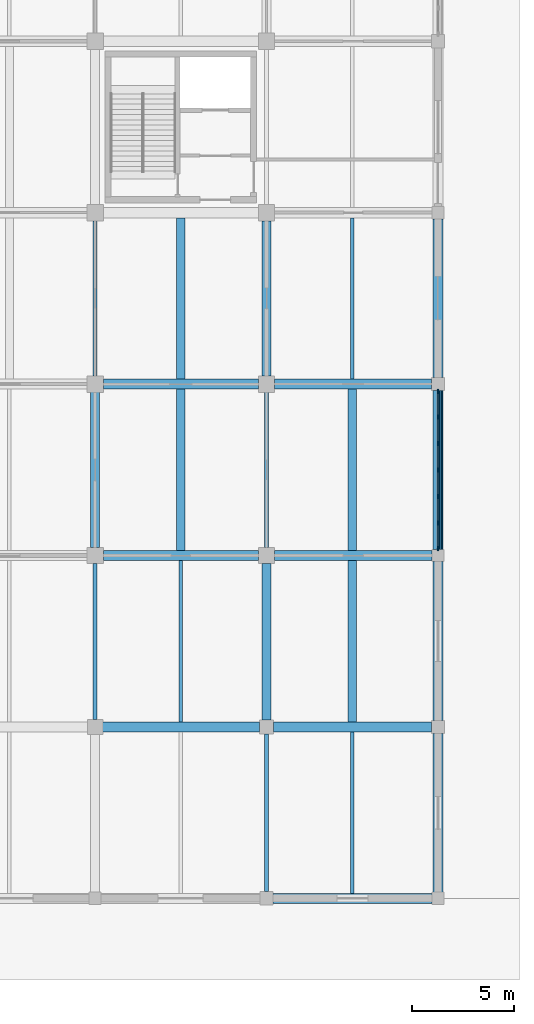
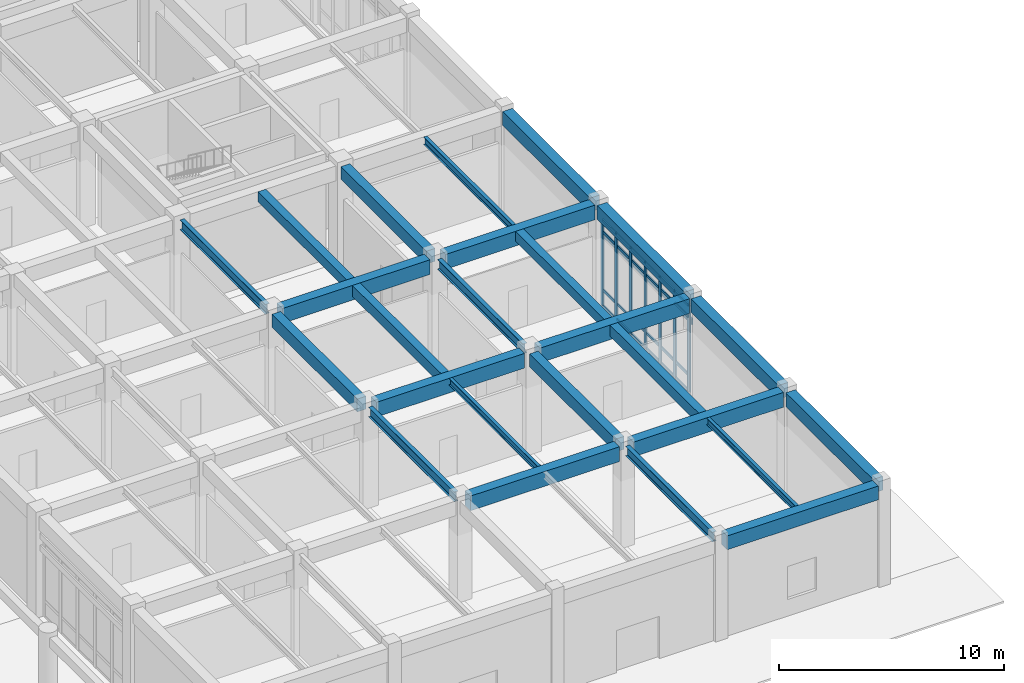
# One storey, part 34 of 91: 33 members, 25 beams, 1 element without a shape of its own.
"""IFC4 building model written with IfcOpenShell, lengths in metres."""

import ifcopenshell
import ifcopenshell.guid

model = None  # the IFC model being written
_history = None  # IfcOwnerHistory: only IFC2X3 demands one
_inside = {}  # id of a spatial element -> (the spatial element, [elements in it])
_under = {}  # id of a project, library or spatial element -> (it, [spatial elements below it])
_declared = {}  # id of a project -> (the project, [libraries it declares])
_typed = {}  # id of a type object -> (the type object, [elements of that type])
_made_of = {}  # id of a material, layer set ... -> (it, [elements and type objects made of it])


def new_model(schema):
    """Start an empty IFC model of exactly this schema.

    Asked for "IFC4X3", IfcOpenShell would pick the latest addendum, in which some entities
    have other attributes; the version numbers below select the first issue.
    IFC2X3 requires an IfcOwnerHistory on every rooted entity: one is made here for all.
    """
    global model, _history
    if schema == "IFC4X3":
        model = ifcopenshell.file(schema_version=(4, 3, 0, 0))
    else:
        model = ifcopenshell.file(schema=schema)
    _inside.clear()
    _under.clear()
    _declared.clear()
    _typed.clear()
    _made_of.clear()
    _history = None
    if model.schema == "IFC2X3":
        org = make("IfcOrganization", Name="unknown")
        user = make(
            "IfcPersonAndOrganization",
            ThePerson=make("IfcPerson", FamilyName="unknown"),
            TheOrganization=org,
        )
        app = make(
            "IfcApplication",
            ApplicationDeveloper=org,
            Version="unknown",
            ApplicationFullName="unknown",
            ApplicationIdentifier="unknown",
        )
        _history = make(
            "IfcOwnerHistory",
            OwningUser=user,
            OwningApplication=app,
            ChangeAction="ADDED",
            CreationDate=0,
        )
    return model


def make(cls, **values):
    """One entity of the class cls with the attributes given. An attribute that is None is left unset."""
    return model.create_entity(
        cls, **{name: value for name, value in values.items() if value is not None}
    )


def rooted(cls, **values):
    """An entity with a GlobalId (a new one), such as an element, a storey or a relation."""
    return make(cls, GlobalId=ifcopenshell.guid.new(), OwnerHistory=_history, **values)


def si_unit(unit_type, name, prefix=None):
    """IfcSIUnit, for example si_unit("LENGTHUNIT", "METRE", prefix="MILLI")."""
    return make("IfcSIUnit", UnitType=unit_type, Prefix=prefix, Name=name)


def assignment(units):
    """IfcUnitAssignment: the units of a project."""
    return None if units is None else make("IfcUnitAssignment", Units=units)


def point(xyz):
    """IfcCartesianPoint."""
    return None if xyz is None else make("IfcCartesianPoint", Coordinates=xyz)


def direction(xyz):
    """IfcDirection."""
    return None if xyz is None else make("IfcDirection", DirectionRatios=xyz)


def frame(location, z_axis=None, x_axis=None):
    """IfcAxis2Placement3D, a coordinate frame: its origin and axes. An axis left out is left unset."""
    return make(
        "IfcAxis2Placement3D",
        Location=point(location),
        Axis=direction(z_axis),
        RefDirection=direction(x_axis),
    )


def frame_2d(location, x_axis=None):
    """IfcAxis2Placement2D, a coordinate frame in the plane: its origin and x axis."""
    return make(
        "IfcAxis2Placement2D", Location=point(location), RefDirection=direction(x_axis)
    )


def origin():
    """The frame at (0, 0, 0) with its axes left unset."""
    return frame((0.0, 0.0, 0.0))


def origin_2d():
    """The frame at (0, 0) in the plane with its x axis left unset."""
    return frame_2d((0.0, 0.0))


def place(relative_to, where):
    """IfcLocalPlacement: puts the frame where relative to a parent placement (None: the world)."""
    return make(
        "IfcLocalPlacement", PlacementRelTo=relative_to, RelativePlacement=where
    )


def context(
    kind, dimensions, precision=None, world=None, true_north=None, identifier=None
):
    """IfcGeometricRepresentationContext, for example the 3D "Model" context."""
    return make(
        "IfcGeometricRepresentationContext",
        ContextIdentifier=identifier,
        ContextType=kind,
        CoordinateSpaceDimension=dimensions,
        Precision=precision,
        WorldCoordinateSystem=world,
        TrueNorth=true_north,
    )


def subcontext(parent, identifier, kind, view, scale=None):
    """IfcGeometricRepresentationSubContext, for example "Body" below "Model"."""
    return make(
        "IfcGeometricRepresentationSubContext",
        ContextIdentifier=identifier,
        ContextType=kind,
        ParentContext=parent,
        TargetScale=scale,
        TargetView=view,
    )


def project(units=None, contexts=None):
    """IfcProject with its units and contexts."""
    return rooted(
        "IfcProject",
        Name="project",
        RepresentationContexts=contexts,
        UnitsInContext=assignment(units),
    )


def spatial(cls, under=None, at=None, **own):
    """A site, building, storey or space (cls), placed at a placement, below another one or the project."""
    s = rooted(cls, ObjectPlacement=at, **own)
    if under is not None:
        _under.setdefault(under.id(), (under, []))[1].append(s)
    return s


def profile(cls, at=None, kind="AREA", **sizes):
    """A parametric profile (cls). Its sizes go by their IFC names, for example OverallWidth=200.0."""
    return make(cls, ProfileType=kind, Position=at, **sizes)


def rectangle(**sizes):
    """IfcRectangleProfileDef."""
    return profile("IfcRectangleProfileDef", **sizes)


def i_section(**sizes):
    """IfcIShapeProfileDef."""
    return profile("IfcIShapeProfileDef", **sizes)


def extrude(swept, where, along, depth):
    """IfcExtrudedAreaSolid: the profile swept, set in the frame where, extruded along a direction by depth."""
    return make(
        "IfcExtrudedAreaSolid",
        SweptArea=swept,
        Position=where,
        ExtrudedDirection=direction(along),
        Depth=depth,
    )


def shape(context_of_items, identifier, shape_type, items):
    """IfcShapeRepresentation: the items that make up one representation, for example the "Body"."""
    return make(
        "IfcShapeRepresentation",
        ContextOfItems=context_of_items,
        RepresentationIdentifier=identifier,
        RepresentationType=shape_type,
        Items=items,
    )


def material(Name=None, Category=None):
    """IfcMaterial."""
    return make("IfcMaterial", Name=Name, Category=Category)


def layer(
    of_material, thickness, ventilated=None, Name=None, Category=None, Priority=None
):
    """IfcMaterialLayer: one layer of a wall or slab, of a material (None: an air gap)."""
    return make(
        "IfcMaterialLayer",
        Material=of_material,
        LayerThickness=thickness,
        IsVentilated=ventilated,
        Name=Name,
        Category=Category,
        Priority=Priority,
    )


def layer_set(layers, Name=None):
    """IfcMaterialLayerSet."""
    return make("IfcMaterialLayerSet", MaterialLayers=layers, LayerSetName=Name)


def material_profile(
    of_material, cross_section, Name=None, Category=None, Priority=None
):
    """IfcMaterialProfile: a cross section and its material."""
    return make(
        "IfcMaterialProfile",
        Name=Name,
        Material=of_material,
        Profile=cross_section,
        Priority=Priority,
        Category=Category,
    )


def profile_set(profiles, Name=None, composite=None):
    """IfcMaterialProfileSet."""
    return make(
        "IfcMaterialProfileSet",
        Name=Name,
        MaterialProfiles=profiles,
        CompositeProfile=composite,
    )


def made_of(thing, what):
    """Note that an element or type object is made of a material, layer set ...; save() writes the relation."""
    if what is not None:
        _made_of.setdefault(what.id(), (what, []))[1].append(thing)
    return thing


def type_object(cls, material=None, **own):
    """A type object (cls), such as IfcWallType, which elements share."""
    return made_of(rooted(cls, **own), material)


def element(
    cls,
    number,
    at=None,
    inside=None,
    cuts=None,
    type_object=None,
    material=None,
    context=None,
    identifier="Body",
    shape_type=None,
    held_by="IfcProductDefinitionShape",
    body=None,
    shapes=None,
    **own,
):
    """One element of the class cls, such as IfcWall. Its Tag is "e" and its number.

    at: its placement. inside: the storey or other place that contains it. cuts: it is an
    opening in that element (IfcRelVoidsElement). A single representation is given by context,
    identifier, shape_type and body (its items); several are given by shapes. held_by: the class
    of the entity that holds the representations. save() writes the other relations.
    """
    e = rooted(cls, Tag="e%d" % number, ObjectPlacement=at, **own)
    if body is not None:
        shapes = [shape(context, identifier, shape_type, body)]
    if shapes is not None:
        e.Representation = make(held_by, Representations=shapes)
    if inside is not None:
        _inside.setdefault(inside.id(), (inside, []))[1].append(e)
    if cuts is not None:
        rooted(
            "IfcRelVoidsElement", RelatingBuildingElement=cuts, RelatedOpeningElement=e
        )
    if type_object is not None:
        _typed.setdefault(type_object.id(), (type_object, []))[1].append(e)
    return made_of(e, material)


def aggregate(whole, parts):
    """IfcRelAggregates: a whole, such as a stair, and the parts it consists of."""
    return rooted("IfcRelAggregates", RelatingObject=whole, RelatedObjects=parts)


def save(model, path):
    """Write the relations noted so far, then the file.

    IfcRelAggregates (storeys below a building ...), IfcRelContainedInSpatialStructure (elements
    in a storey), IfcRelDefinesByType, IfcRelAssociatesMaterial and IfcRelDeclares: one each for
    every whole, place, type object, material and project.
    """
    for whole, parts in _under.values():
        aggregate(whole, parts)
    for where, things in _inside.values():
        rooted(
            "IfcRelContainedInSpatialStructure",
            RelatedElements=things,
            RelatingStructure=where,
        )
    for kind, things in _typed.values():
        rooted("IfcRelDefinesByType", RelatedObjects=things, RelatingType=kind)
    for what, things in _made_of.values():
        rooted("IfcRelAssociatesMaterial", RelatedObjects=things, RelatingMaterial=what)
    for by, libraries in _declared.values():
        rooted("IfcRelDeclares", RelatingContext=by, RelatedDefinitions=libraries)
    model.write(path)


model = new_model("IFC4")

# Units and contexts
model_context = context("Model", 3, precision=1e-05, world=origin(), true_north=direction((0.0, 1.0)))
body_context = subcontext(model_context, "Body", "Model", "MODEL_VIEW")
ifc_project = project(units=[si_unit("LENGTHUNIT", "METRE"), si_unit("AREAUNIT", "SQUARE_METRE"), si_unit("VOLUMEUNIT", "CUBIC_METRE"), si_unit("PLANEANGLEUNIT", "RADIAN"), si_unit("MASSUNIT", "GRAM", prefix="KILO")], contexts=[model_context])

# Site, building, storey
site_placement = place(None, origin())
site = spatial("IfcSite", under=ifc_project, at=site_placement, CompositionType="ELEMENT")
building_placement = place(site_placement, origin())
building = spatial("IfcBuilding", under=site, at=building_placement, Name="Porcellanite Civic Hall", CompositionType="ELEMENT")
storey_placement = place(building_placement, origin())
storey = spatial("IfcBuildingStorey", under=building, at=storey_placement, Name="L00", CompositionType="ELEMENT", Elevation=0.0)

# Beams
ifc_material_1 = material(Name="Concrete N50 (50 MPa)", Category="concrete")
ifc_material_profile_1 = material_profile(ifc_material_1, rectangle(XDim=0.39990234375, YDim=0.550048828125, at=origin_2d()), Name="RC-400x550")
ifc_profile_set_1 = profile_set([ifc_material_profile_1], Name="Concrete N50 (50 MPa)")
beam_type_1 = type_object("IfcBeamType", Name="BM-RC550", PredefinedType="JOIST", material=ifc_profile_set_1)
beam_1_placement = place(storey_placement, frame((163.800048828125, 25.449462890625, 5.22509765625), z_axis=(0.0, 1.0, 0.0), x_axis=(-1.0, 0.0, 0.0)))
element("IfcBeam", 1, at=beam_1_placement, inside=storey, type_object=beam_type_1, Name="Secondary joist L00 20-4", PredefinedType="JOIST", context=body_context, shape_type="SweptSolid", body=[
    extrude(rectangle(XDim=0.39990234375, YDim=0.550048828125, at=origin_2d()), origin(), (0.0, 0.0, 1.0), 7.901123046875),
])
beam_2_placement = place(storey_placement, frame((172.199951171875, 17.049560546875, 5.22509765625), z_axis=(0.0, 1.0, 0.0), x_axis=(-1.0, 0.0, 0.0)))
element("IfcBeam", 2, at=beam_2_placement, inside=storey, type_object=beam_type_1, Name="Secondary joist L00 21-3", PredefinedType="JOIST", context=body_context, shape_type="SweptSolid", body=[
    extrude(rectangle(XDim=0.39990234375, YDim=0.550048828125, at=origin_2d()), origin(), (0.0, 0.0, 1.0), 7.90087890625),
])
ifc_material_2 = material(Name="Concrete N50 (50 MPa)", Category="concrete")
ifc_material_profile_2 = material_profile(ifc_material_2, rectangle(XDim=0.39990234375, YDim=0.60009765625, at=origin_2d()), Name="RC-400x600")
ifc_profile_set_2 = profile_set([ifc_material_profile_2], Name="Concrete N50 (50 MPa)")
beam_type_2 = type_object("IfcBeamType", Name="BM-RC600", PredefinedType="JOIST", material=ifc_profile_set_2)
beam_3_placement = place(storey_placement, frame((163.800048828125, 17.049560546875, 5.199951171875), z_axis=(0.0, 1.0, 0.0), x_axis=(-1.0, 0.0, 0.0)))
element("IfcBeam", 3, at=beam_3_placement, inside=storey, type_object=beam_type_2, Name="Secondary joist L00 20-3", PredefinedType="JOIST", context=body_context, shape_type="SweptSolid", body=[
    extrude(rectangle(XDim=0.39990234375, YDim=0.60009765625, at=origin_2d()), origin(), (0.0, 0.0, 1.0), 7.90087890625),
])
beam_4_placement = place(storey_placement, frame((172.199951171875, 8.6494140625, 5.199951171875), z_axis=(0.0, 1.0, 0.0), x_axis=(-1.0, 0.0, 0.0)))
element("IfcBeam", 4, at=beam_4_placement, inside=storey, type_object=beam_type_2, Name="Secondary joist L00 21-2", PredefinedType="JOIST", context=body_context, shape_type="SweptSolid", body=[
    extrude(rectangle(XDim=0.39990234375, YDim=0.60009765625, at=origin_2d()), origin(), (0.0, 0.0, 1.0), 7.901123046875),
])
ifc_material_3 = material(Name="Concrete N50 (50 MPa)", Category="concrete")
ifc_material_profile_3 = material_profile(ifc_material_3, rectangle(XDim=0.449951171875, YDim=0.699951171875, at=origin_2d()), Name="RC-450x700")
ifc_profile_set_3 = profile_set([ifc_material_profile_3], Name="Concrete N50 (50 MPa)")
beam_type_3 = type_object("IfcBeamType", Name="BM-RC700", PredefinedType="BEAM", material=ifc_profile_set_3)
beam_5_placement = place(storey_placement, frame((159.60009765625, 17.199462890625, 5.14990234375), z_axis=(0.0, 1.0, 0.0), x_axis=(-1.0, 0.0, 0.0)))
element("IfcBeam", 5, at=beam_5_placement, inside=storey, type_object=beam_type_3, Name="Beam Y L00 20-3", PredefinedType="BEAM", context=body_context, shape_type="SweptSolid", body=[
    extrude(rectangle(XDim=0.449951171875, YDim=0.699951171875, at=origin_2d()), origin(), (0.0, 0.0, 1.0), 7.60107421875),
])
beam_6_placement = place(storey_placement, frame((168.0, 8.74951171875, 5.14990234375), z_axis=(0.0, 1.0, 0.0), x_axis=(-1.0, 0.0, 0.0)))
element("IfcBeam", 6, at=beam_6_placement, inside=storey, type_object=beam_type_3, Name="Beam Y L00 21-2", PredefinedType="BEAM", context=body_context, shape_type="SweptSolid", body=[
    extrude(rectangle(XDim=0.449951171875, YDim=0.699951171875, at=origin_2d()), origin(), (0.0, 0.0, 1.0), 7.65087890625),
])
beam_7_placement = place(storey_placement, frame((168.0, 25.599609375, 5.14990234375), z_axis=(0.0, 1.0, 0.0), x_axis=(-1.0, 0.0, 0.0)))
element("IfcBeam", 7, at=beam_7_placement, inside=storey, type_object=beam_type_3, Name="Beam Y L00 21-4", PredefinedType="BEAM", context=body_context, shape_type="SweptSolid", body=[
    extrude(rectangle(XDim=0.449951171875, YDim=0.699951171875, at=origin_2d()), origin(), (0.0, 0.0, 1.0), 7.600830078125),
])
ifc_material_4 = material(Name="Concrete N50 (50 MPa)", Category="concrete")
ifc_material_profile_4 = material_profile(ifc_material_4, rectangle(XDim=0.5, YDim=0.75, at=origin_2d()), Name="RC-500x750")
ifc_profile_set_4 = profile_set([ifc_material_profile_4], Name="Concrete N50 (50 MPa)")
beam_type_4 = type_object("IfcBeamType", Name="BM-RC750", PredefinedType="SPANDREL", material=ifc_profile_set_4)
beam_8_placement = place(storey_placement, frame((168.324462890625, 0.0, 5.125), z_axis=(1.0, 0.0, 0.0), x_axis=(0.0, 1.0, 0.0)))
element("IfcBeam", 8, at=beam_8_placement, inside=storey, type_object=beam_type_4, Name="Beam X L00 21-1", PredefinedType="SPANDREL", context=body_context, shape_type="SweptSolid", body=[
    extrude(rectangle(XDim=0.5, YDim=0.75, at=origin_2d()), origin(), (0.0, 0.0, 1.0), 7.776123046875),
])
for number, where, z_axis, x_axis, name in (
    (9, (176.39990234375, 0.299560546875, 5.125), (0.0, 1.0, 0.0), (-1.0, 0.0, 0.0), "Beam Y L00 22-1"),
    (10, (176.39990234375, 8.724609375, 5.125), (0.0, 1.0, 0.0), (-1.0, 0.0, 0.0), "Beam Y L00 22-2"),
    (11, (176.39990234375, 17.099609375, 5.125), (0.0, 1.0, 0.0), (-1.0, 0.0, 0.0), "Beam Y L00 22-3"),
):
    element("IfcBeam", number, at=place(storey_placement, frame(where, z_axis=z_axis, x_axis=x_axis)), inside=storey, type_object=beam_type_4, Name=name, PredefinedType="SPANDREL", context=body_context, shape_type="SweptSolid", body=[
        extrude(rectangle(XDim=0.5, YDim=0.75, at=origin_2d()), origin(), (0.0, 0.0, 1.0), 7.77587890625),
    ])
beam_9_placement = place(storey_placement, frame((176.39990234375, 25.5244140625, 5.125), z_axis=(0.0, 1.0, 0.0), x_axis=(-1.0, 0.0, 0.0)))
element("IfcBeam", 12, at=beam_9_placement, inside=storey, type_object=beam_type_4, Name="Beam Y L00 22-4", PredefinedType="SPANDREL", context=body_context, shape_type="SweptSolid", body=[
    extrude(rectangle(XDim=0.5, YDim=0.75, at=origin_2d()), origin(), (0.0, 0.0, 1.0), 7.776123046875),
])
ifc_material_5 = material(Name="Concrete N50 (50 MPa)", Category="concrete")
ifc_material_profile_5 = material_profile(ifc_material_5, rectangle(XDim=0.5, YDim=0.800048828125, at=origin_2d()), Name="RC-500x800")
ifc_profile_set_5 = profile_set([ifc_material_profile_5], Name="Concrete N50 (50 MPa)")
beam_type_5 = type_object("IfcBeamType", Name="BM-RC800", PredefinedType="BEAM", material=ifc_profile_set_5)
beam_10_placement = place(storey_placement, frame((159.974609375, 8.39990234375, 5.10009765625), z_axis=(1.0, 0.0, 0.0), x_axis=(0.0, 1.0, 0.0)))
element("IfcBeam", 13, at=beam_10_placement, inside=storey, type_object=beam_type_5, Name="Beam X L00 20-2", PredefinedType="BEAM", context=body_context, shape_type="SweptSolid", body=[
    extrude(rectangle(XDim=0.5, YDim=0.800048828125, at=origin_2d()), origin(), (0.0, 0.0, 1.0), 7.67578125),
])
for number, where, z_axis, x_axis, name in (
    (14, (159.99951171875, 16.800048828125, 5.10009765625), (1.0, 0.0, 0.0), (0.0, 1.0, 0.0), "Beam X L00 20-3"),
    (15, (159.99951171875, 25.199951171875, 5.10009765625), (1.0, 0.0, 0.0), (0.0, 1.0, 0.0), "Beam X L00 20-4"),
):
    element("IfcBeam", number, at=place(storey_placement, frame(where, z_axis=z_axis, x_axis=x_axis)), inside=storey, type_object=beam_type_5, Name=name, PredefinedType="BEAM", context=body_context, shape_type="SweptSolid", body=[
        extrude(rectangle(XDim=0.5, YDim=0.800048828125, at=origin_2d()), origin(), (0.0, 0.0, 1.0), 7.60107421875),
    ])
beam_11_placement = place(storey_placement, frame((168.349609375, 8.39990234375, 5.10009765625), z_axis=(1.0, 0.0, 0.0), x_axis=(0.0, 1.0, 0.0)))
element("IfcBeam", 16, at=beam_11_placement, inside=storey, type_object=beam_type_5, Name="Beam X L00 21-2", PredefinedType="BEAM", context=body_context, shape_type="SweptSolid", body=[
    extrude(rectangle(XDim=0.5, YDim=0.800048828125, at=origin_2d()), origin(), (0.0, 0.0, 1.0), 7.725830078125),
])
beam_12_placement = place(storey_placement, frame((168.3994140625, 16.800048828125, 5.10009765625), z_axis=(1.0, 0.0, 0.0), x_axis=(0.0, 1.0, 0.0)))
element("IfcBeam", 17, at=beam_12_placement, inside=storey, type_object=beam_type_5, Name="Beam X L00 21-3", PredefinedType="BEAM", context=body_context, shape_type="SweptSolid", body=[
    extrude(rectangle(XDim=0.5, YDim=0.800048828125, at=origin_2d()), origin(), (0.0, 0.0, 1.0), 7.701171875),
])
beam_13_placement = place(storey_placement, frame((168.3994140625, 25.199951171875, 5.10009765625), z_axis=(1.0, 0.0, 0.0), x_axis=(0.0, 1.0, 0.0)))
element("IfcBeam", 18, at=beam_13_placement, inside=storey, type_object=beam_type_5, Name="Beam X L00 21-4", PredefinedType="BEAM", context=body_context, shape_type="SweptSolid", body=[
    extrude(rectangle(XDim=0.5, YDim=0.800048828125, at=origin_2d()), origin(), (0.0, 0.0, 1.0), 7.676025390625),
])

# Curtain wall, members
ifc_material_6 = material(Name="Anodised aluminium and solar laminated glass", Category="aluminium")
ifc_layer = layer(ifc_material_6, 0.179931640625)
ifc_layer_set = layer_set([ifc_layer], Name="Anodised aluminium and solar laminated glass")
curtain_wall_type = type_object("IfcCurtainWallType", Name="CW-SYS02", PredefinedType="NOTDEFINED", material=ifc_layer_set)
curtain_wall_placement = place(storey_placement, origin())
curtain_wall = element("IfcCurtainWall", 19, at=curtain_wall_placement, inside=storey, type_object=curtain_wall_type, Name="Curtain wall CW-057", PredefinedType="NOTDEFINED")
ifc_material_7 = material(Name="Anodised aluminium 6063-T6", Category="aluminium")
ifc_material_profile_6 = material_profile(ifc_material_7, rectangle(XDim=0.074951171875, YDim=0.219970703125, at=origin_2d()), Name="AL-75x220")
ifc_profile_set_6 = profile_set([ifc_material_profile_6], Name="Anodised aluminium 6063-T6")
member_type_1 = type_object("IfcMemberType", Name="CWM-03", PredefinedType="MULLION", material=ifc_profile_set_6)
member_1_placement = place(storey_placement, frame((176.39990234375, 24.83642578125, 0.0), z_axis=(0.0, 0.0, 1.0), x_axis=(1.0, 0.0, 0.0)))
member_1 = element("IfcMember", 20, at=member_1_placement, type_object=member_type_1, Name="CW-057 mullion 1", PredefinedType="MULLION", context=body_context, shape_type="SweptSolid", body=[
    extrude(rectangle(XDim=0.074951171875, YDim=0.219970703125, at=origin_2d()), origin(), (0.0, 0.0, 1.0), 4.699951171875),
])
member_2_placement = place(storey_placement, frame((176.39990234375, 23.57861328125, 0.0), z_axis=(0.0, 0.0, 1.0), x_axis=(1.0, 0.0, 0.0)))
member_2 = element("IfcMember", 21, at=member_2_placement, type_object=member_type_1, Name="CW-057 mullion 2", PredefinedType="MULLION", context=body_context, shape_type="SweptSolid", body=[
    extrude(rectangle(XDim=0.074951171875, YDim=0.219970703125, at=origin_2d()), origin(), (0.0, 0.0, 1.0), 4.699951171875),
])
member_3_placement = place(storey_placement, frame((176.39990234375, 22.282958984375, 0.0), z_axis=(0.0, 0.0, 1.0), x_axis=(1.0, 0.0, 0.0)))
member_3 = element("IfcMember", 22, at=member_3_placement, type_object=member_type_1, Name="CW-057 mullion 3", PredefinedType="MULLION", context=body_context, shape_type="SweptSolid", body=[
    extrude(rectangle(XDim=0.074951171875, YDim=0.219970703125, at=origin_2d()), origin(), (0.0, 0.0, 1.0), 4.699951171875),
])
member_4_placement = place(storey_placement, frame((176.39990234375, 20.987548828125, 0.0), z_axis=(0.0, 0.0, 1.0), x_axis=(1.0, 0.0, 0.0)))
member_4 = element("IfcMember", 23, at=member_4_placement, type_object=member_type_1, Name="CW-057 mullion 4", PredefinedType="MULLION", context=body_context, shape_type="SweptSolid", body=[
    extrude(rectangle(XDim=0.074951171875, YDim=0.219970703125, at=origin_2d()), origin(), (0.0, 0.0, 1.0), 4.699951171875),
])
member_5_placement = place(storey_placement, frame((176.39990234375, 19.69189453125, 0.0), z_axis=(0.0, 0.0, 1.0), x_axis=(1.0, 0.0, 0.0)))
member_5 = element("IfcMember", 24, at=member_5_placement, type_object=member_type_1, Name="CW-057 mullion 5", PredefinedType="MULLION", context=body_context, shape_type="SweptSolid", body=[
    extrude(rectangle(XDim=0.074951171875, YDim=0.219970703125, at=origin_2d()), origin(), (0.0, 0.0, 1.0), 4.699951171875),
])
member_6_placement = place(storey_placement, frame((176.39990234375, 18.396484375, 0.0), z_axis=(0.0, 0.0, 1.0), x_axis=(1.0, 0.0, 0.0)))
member_6 = element("IfcMember", 25, at=member_6_placement, type_object=member_type_1, Name="CW-057 mullion 6", PredefinedType="MULLION", context=body_context, shape_type="SweptSolid", body=[
    extrude(rectangle(XDim=0.074951171875, YDim=0.219970703125, at=origin_2d()), origin(), (0.0, 0.0, 1.0), 4.699951171875),
])
member_7_placement = place(storey_placement, frame((176.39990234375, 17.138427734375, 0.0), z_axis=(0.0, 0.0, 1.0), x_axis=(1.0, 0.0, 0.0)))
member_7 = element("IfcMember", 26, at=member_7_placement, type_object=member_type_1, Name="CW-057 mullion 7", PredefinedType="MULLION", context=body_context, shape_type="SweptSolid", body=[
    extrude(rectangle(XDim=0.074951171875, YDim=0.219970703125, at=origin_2d()), origin(), (0.0, 0.0, 1.0), 4.699951171875),
])
ifc_material_8 = material(Name="Anodised aluminium 6063-T6", Category="aluminium")
ifc_material_profile_7 = material_profile(ifc_material_8, rectangle(XDim=0.06494140625, YDim=0.14990234375, at=origin_2d()), Name="AL-65x150")
ifc_profile_set_7 = profile_set([ifc_material_profile_7], Name="Anodised aluminium 6063-T6")
member_type_2 = type_object("IfcMemberType", Name="CWT-02", PredefinedType="USERDEFINED", material=ifc_profile_set_7)
member_8_placement = place(storey_placement, frame((176.39990234375, 24.799072265625, 0.032470703125), z_axis=(0.0, -1.0, 0.0), x_axis=(1.0, 0.0, 0.0)))
member_8 = element("IfcMember", 27, at=member_8_placement, type_object=member_type_2, Name="CW-057 transom 1.1", ObjectType="TRANSOM", PredefinedType="USERDEFINED", context=body_context, shape_type="SweptSolid", body=[
    extrude(rectangle(XDim=0.06494140625, YDim=0.14990234375, at=origin_2d()), origin(), (0.0, 0.0, 1.0), 1.18310546875),
])
member_9_placement = place(storey_placement, frame((176.39990234375, 24.799072265625, 0.89990234375), z_axis=(0.0, -1.0, 0.0), x_axis=(1.0, 0.0, 0.0)))
member_9 = element("IfcMember", 28, at=member_9_placement, type_object=member_type_2, Name="CW-057 transom 1.2", ObjectType="TRANSOM", PredefinedType="USERDEFINED", context=body_context, shape_type="SweptSolid", body=[
    extrude(rectangle(XDim=0.06494140625, YDim=0.14990234375, at=origin_2d()), origin(), (0.0, 0.0, 1.0), 1.18310546875),
])
member_10_placement = place(storey_placement, frame((176.39990234375, 24.799072265625, 4.050048828125), z_axis=(0.0, -1.0, 0.0), x_axis=(1.0, 0.0, 0.0)))
member_10 = element("IfcMember", 29, at=member_10_placement, type_object=member_type_2, Name="CW-057 transom 1.3", ObjectType="TRANSOM", PredefinedType="USERDEFINED", context=body_context, shape_type="SweptSolid", body=[
    extrude(rectangle(XDim=0.06494140625, YDim=0.14990234375, at=origin_2d()), origin(), (0.0, 0.0, 1.0), 1.18310546875),
])
member_11_placement = place(storey_placement, frame((176.39990234375, 24.799072265625, 4.66748046875), z_axis=(0.0, -1.0, 0.0), x_axis=(1.0, 0.0, 0.0)))
member_11 = element("IfcMember", 30, at=member_11_placement, type_object=member_type_2, Name="CW-057 transom 1.4", ObjectType="TRANSOM", PredefinedType="USERDEFINED", context=body_context, shape_type="SweptSolid", body=[
    extrude(rectangle(XDim=0.06494140625, YDim=0.14990234375, at=origin_2d()), origin(), (0.0, 0.0, 1.0), 1.18310546875),
])
member_12_placement = place(storey_placement, frame((176.39990234375, 23.541015625, 0.032470703125), z_axis=(0.0, -1.0, 0.0), x_axis=(1.0, 0.0, 0.0)))
member_12 = element("IfcMember", 31, at=member_12_placement, type_object=member_type_2, Name="CW-057 transom 2.1", ObjectType="TRANSOM", PredefinedType="USERDEFINED", context=body_context, shape_type="SweptSolid", body=[
    extrude(rectangle(XDim=0.06494140625, YDim=0.14990234375, at=origin_2d()), origin(), (0.0, 0.0, 1.0), 1.220458984375),
])
member_13_placement = place(storey_placement, frame((176.39990234375, 23.541015625, 0.89990234375), z_axis=(0.0, -1.0, 0.0), x_axis=(1.0, 0.0, 0.0)))
member_13 = element("IfcMember", 32, at=member_13_placement, type_object=member_type_2, Name="CW-057 transom 2.2", ObjectType="TRANSOM", PredefinedType="USERDEFINED", context=body_context, shape_type="SweptSolid", body=[
    extrude(rectangle(XDim=0.06494140625, YDim=0.14990234375, at=origin_2d()), origin(), (0.0, 0.0, 1.0), 1.220458984375),
])
member_14_placement = place(storey_placement, frame((176.39990234375, 23.541015625, 4.050048828125), z_axis=(0.0, -1.0, 0.0), x_axis=(1.0, 0.0, 0.0)))
member_14 = element("IfcMember", 33, at=member_14_placement, type_object=member_type_2, Name="CW-057 transom 2.3", ObjectType="TRANSOM", PredefinedType="USERDEFINED", context=body_context, shape_type="SweptSolid", body=[
    extrude(rectangle(XDim=0.06494140625, YDim=0.14990234375, at=origin_2d()), origin(), (0.0, 0.0, 1.0), 1.220458984375),
])
member_15_placement = place(storey_placement, frame((176.39990234375, 23.541015625, 4.66748046875), z_axis=(0.0, -1.0, 0.0), x_axis=(1.0, 0.0, 0.0)))
member_15 = element("IfcMember", 34, at=member_15_placement, type_object=member_type_2, Name="CW-057 transom 2.4", ObjectType="TRANSOM", PredefinedType="USERDEFINED", context=body_context, shape_type="SweptSolid", body=[
    extrude(rectangle(XDim=0.06494140625, YDim=0.14990234375, at=origin_2d()), origin(), (0.0, 0.0, 1.0), 1.220458984375),
])
member_16_placement = place(storey_placement, frame((176.39990234375, 22.24560546875, 0.032470703125), z_axis=(0.0, -1.0, 0.0), x_axis=(1.0, 0.0, 0.0)))
member_16 = element("IfcMember", 35, at=member_16_placement, type_object=member_type_2, Name="CW-057 transom 3.1", ObjectType="TRANSOM", PredefinedType="USERDEFINED", context=body_context, shape_type="SweptSolid", body=[
    extrude(rectangle(XDim=0.06494140625, YDim=0.14990234375, at=origin_2d()), origin(), (0.0, 0.0, 1.0), 1.220703125),
])
member_17_placement = place(storey_placement, frame((176.39990234375, 22.24560546875, 0.89990234375), z_axis=(0.0, -1.0, 0.0), x_axis=(1.0, 0.0, 0.0)))
member_17 = element("IfcMember", 36, at=member_17_placement, type_object=member_type_2, Name="CW-057 transom 3.2", ObjectType="TRANSOM", PredefinedType="USERDEFINED", context=body_context, shape_type="SweptSolid", body=[
    extrude(rectangle(XDim=0.06494140625, YDim=0.14990234375, at=origin_2d()), origin(), (0.0, 0.0, 1.0), 1.220703125),
])
member_18_placement = place(storey_placement, frame((176.39990234375, 22.24560546875, 4.050048828125), z_axis=(0.0, -1.0, 0.0), x_axis=(1.0, 0.0, 0.0)))
member_18 = element("IfcMember", 37, at=member_18_placement, type_object=member_type_2, Name="CW-057 transom 3.3", ObjectType="TRANSOM", PredefinedType="USERDEFINED", context=body_context, shape_type="SweptSolid", body=[
    extrude(rectangle(XDim=0.06494140625, YDim=0.14990234375, at=origin_2d()), origin(), (0.0, 0.0, 1.0), 1.220703125),
])
member_19_placement = place(storey_placement, frame((176.39990234375, 22.24560546875, 4.66748046875), z_axis=(0.0, -1.0, 0.0), x_axis=(1.0, 0.0, 0.0)))
member_19 = element("IfcMember", 38, at=member_19_placement, type_object=member_type_2, Name="CW-057 transom 3.4", ObjectType="TRANSOM", PredefinedType="USERDEFINED", context=body_context, shape_type="SweptSolid", body=[
    extrude(rectangle(XDim=0.06494140625, YDim=0.14990234375, at=origin_2d()), origin(), (0.0, 0.0, 1.0), 1.220703125),
])
member_20_placement = place(storey_placement, frame((176.39990234375, 20.949951171875, 0.032470703125), z_axis=(0.0, -1.0, 0.0), x_axis=(1.0, 0.0, 0.0)))
member_20 = element("IfcMember", 39, at=member_20_placement, type_object=member_type_2, Name="CW-057 transom 4.1", ObjectType="TRANSOM", PredefinedType="USERDEFINED", context=body_context, shape_type="SweptSolid", body=[
    extrude(rectangle(XDim=0.06494140625, YDim=0.14990234375, at=origin_2d()), origin(), (0.0, 0.0, 1.0), 1.220458984375),
])
member_21_placement = place(storey_placement, frame((176.39990234375, 20.949951171875, 0.89990234375), z_axis=(0.0, -1.0, 0.0), x_axis=(1.0, 0.0, 0.0)))
member_21 = element("IfcMember", 40, at=member_21_placement, type_object=member_type_2, Name="CW-057 transom 4.2", ObjectType="TRANSOM", PredefinedType="USERDEFINED", context=body_context, shape_type="SweptSolid", body=[
    extrude(rectangle(XDim=0.06494140625, YDim=0.14990234375, at=origin_2d()), origin(), (0.0, 0.0, 1.0), 1.220458984375),
])
member_22_placement = place(storey_placement, frame((176.39990234375, 20.949951171875, 4.050048828125), z_axis=(0.0, -1.0, 0.0), x_axis=(1.0, 0.0, 0.0)))
member_22 = element("IfcMember", 41, at=member_22_placement, type_object=member_type_2, Name="CW-057 transom 4.3", ObjectType="TRANSOM", PredefinedType="USERDEFINED", context=body_context, shape_type="SweptSolid", body=[
    extrude(rectangle(XDim=0.06494140625, YDim=0.14990234375, at=origin_2d()), origin(), (0.0, 0.0, 1.0), 1.220458984375),
])
member_23_placement = place(storey_placement, frame((176.39990234375, 20.949951171875, 4.66748046875), z_axis=(0.0, -1.0, 0.0), x_axis=(1.0, 0.0, 0.0)))
member_23 = element("IfcMember", 42, at=member_23_placement, type_object=member_type_2, Name="CW-057 transom 4.4", ObjectType="TRANSOM", PredefinedType="USERDEFINED", context=body_context, shape_type="SweptSolid", body=[
    extrude(rectangle(XDim=0.06494140625, YDim=0.14990234375, at=origin_2d()), origin(), (0.0, 0.0, 1.0), 1.220458984375),
])
member_24_placement = place(storey_placement, frame((176.39990234375, 19.654541015625, 0.032470703125), z_axis=(0.0, -1.0, 0.0), x_axis=(1.0, 0.0, 0.0)))
member_24 = element("IfcMember", 43, at=member_24_placement, type_object=member_type_2, Name="CW-057 transom 5.1", ObjectType="TRANSOM", PredefinedType="USERDEFINED", context=body_context, shape_type="SweptSolid", body=[
    extrude(rectangle(XDim=0.06494140625, YDim=0.14990234375, at=origin_2d()), origin(), (0.0, 0.0, 1.0), 1.220458984375),
])
member_25_placement = place(storey_placement, frame((176.39990234375, 19.654541015625, 0.89990234375), z_axis=(0.0, -1.0, 0.0), x_axis=(1.0, 0.0, 0.0)))
member_25 = element("IfcMember", 44, at=member_25_placement, type_object=member_type_2, Name="CW-057 transom 5.2", ObjectType="TRANSOM", PredefinedType="USERDEFINED", context=body_context, shape_type="SweptSolid", body=[
    extrude(rectangle(XDim=0.06494140625, YDim=0.14990234375, at=origin_2d()), origin(), (0.0, 0.0, 1.0), 1.220458984375),
])
member_26_placement = place(storey_placement, frame((176.39990234375, 19.654541015625, 4.050048828125), z_axis=(0.0, -1.0, 0.0), x_axis=(1.0, 0.0, 0.0)))
member_26 = element("IfcMember", 45, at=member_26_placement, type_object=member_type_2, Name="CW-057 transom 5.3", ObjectType="TRANSOM", PredefinedType="USERDEFINED", context=body_context, shape_type="SweptSolid", body=[
    extrude(rectangle(XDim=0.06494140625, YDim=0.14990234375, at=origin_2d()), origin(), (0.0, 0.0, 1.0), 1.220458984375),
])
member_27_placement = place(storey_placement, frame((176.39990234375, 19.654541015625, 4.66748046875), z_axis=(0.0, -1.0, 0.0), x_axis=(1.0, 0.0, 0.0)))
member_27 = element("IfcMember", 46, at=member_27_placement, type_object=member_type_2, Name="CW-057 transom 5.4", ObjectType="TRANSOM", PredefinedType="USERDEFINED", context=body_context, shape_type="SweptSolid", body=[
    extrude(rectangle(XDim=0.06494140625, YDim=0.14990234375, at=origin_2d()), origin(), (0.0, 0.0, 1.0), 1.220458984375),
])
member_28_placement = place(storey_placement, frame((176.39990234375, 18.35888671875, 0.032470703125), z_axis=(0.0, -1.0, 0.0), x_axis=(1.0, 0.0, 0.0)))
member_28 = element("IfcMember", 47, at=member_28_placement, type_object=member_type_2, Name="CW-057 transom 6.1", ObjectType="TRANSOM", PredefinedType="USERDEFINED", context=body_context, shape_type="SweptSolid", body=[
    extrude(rectangle(XDim=0.06494140625, YDim=0.14990234375, at=origin_2d()), origin(), (0.0, 0.0, 1.0), 1.182861328125),
])
member_29_placement = place(storey_placement, frame((176.39990234375, 18.35888671875, 0.89990234375), z_axis=(0.0, -1.0, 0.0), x_axis=(1.0, 0.0, 0.0)))
member_29 = element("IfcMember", 48, at=member_29_placement, type_object=member_type_2, Name="CW-057 transom 6.2", ObjectType="TRANSOM", PredefinedType="USERDEFINED", context=body_context, shape_type="SweptSolid", body=[
    extrude(rectangle(XDim=0.06494140625, YDim=0.14990234375, at=origin_2d()), origin(), (0.0, 0.0, 1.0), 1.182861328125),
])
member_30_placement = place(storey_placement, frame((176.39990234375, 18.35888671875, 4.050048828125), z_axis=(0.0, -1.0, 0.0), x_axis=(1.0, 0.0, 0.0)))
member_30 = element("IfcMember", 49, at=member_30_placement, type_object=member_type_2, Name="CW-057 transom 6.3", ObjectType="TRANSOM", PredefinedType="USERDEFINED", context=body_context, shape_type="SweptSolid", body=[
    extrude(rectangle(XDim=0.06494140625, YDim=0.14990234375, at=origin_2d()), origin(), (0.0, 0.0, 1.0), 1.182861328125),
])
member_31_placement = place(storey_placement, frame((176.39990234375, 18.35888671875, 4.66748046875), z_axis=(0.0, -1.0, 0.0), x_axis=(1.0, 0.0, 0.0)))
member_31 = element("IfcMember", 50, at=member_31_placement, type_object=member_type_2, Name="CW-057 transom 6.4", ObjectType="TRANSOM", PredefinedType="USERDEFINED", context=body_context, shape_type="SweptSolid", body=[
    extrude(rectangle(XDim=0.06494140625, YDim=0.14990234375, at=origin_2d()), origin(), (0.0, 0.0, 1.0), 1.182861328125),
])
aggregate(curtain_wall, [member_1, member_2, member_3, member_4, member_5, member_6, member_7, member_8, member_9, member_10, member_11, member_12, member_13, member_14, member_15, member_16, member_17, member_18, member_19, member_20, member_21, member_22, member_23, member_24, member_25, member_26, member_27, member_28, member_29, member_30, member_31])

# Beams
ifc_material_9 = material(Name="Steel Grade 350", Category="steel")
ifc_material_profile_8 = material_profile(ifc_material_9, i_section(OverallWidth=0.1708984375, OverallDepth=0.35595703125, WebThickness=0.00732421875, FlangeThickness=0.011474609375, FilletRadius=0.011474609375, at=origin_2d()), Name="360UB50.7")
ifc_profile_set_8 = profile_set([ifc_material_profile_8], Name="Steel Grade 350")
beam_type_6 = type_object("IfcBeamType", Name="JST-360UB51", PredefinedType="JOIST", material=ifc_profile_set_8)
beam_14_placement = place(storey_placement, frame((163.800048828125, 8.6494140625, 5.322021484375), z_axis=(0.0, 1.0, 0.0), x_axis=(-1.0, 0.0, 0.0)))
element("IfcBeam", 51, at=beam_14_placement, inside=storey, type_object=beam_type_6, Name="Secondary joist L00 20-2", PredefinedType="JOIST", context=body_context, shape_type="SweptSolid", body=[
    extrude(i_section(OverallWidth=0.1708984375, OverallDepth=0.35595703125, WebThickness=0.00732421875, FlangeThickness=0.011474609375, FilletRadius=0.011474609375, at=origin_2d()), origin(), (0.0, 0.0, 1.0), 7.901123046875),
])
beam_15_placement = place(storey_placement, frame((172.199951171875, 0.24951171875, 5.322021484375), z_axis=(0.0, 1.0, 0.0), x_axis=(-1.0, 0.0, 0.0)))
element("IfcBeam", 52, at=beam_15_placement, inside=storey, type_object=beam_type_6, Name="Secondary joist L00 21-1", PredefinedType="JOIST", context=body_context, shape_type="SweptSolid", body=[
    extrude(i_section(OverallWidth=0.1708984375, OverallDepth=0.35595703125, WebThickness=0.00732421875, FlangeThickness=0.011474609375, FilletRadius=0.011474609375, at=origin_2d()), origin(), (0.0, 0.0, 1.0), 7.90087890625),
])
ifc_material_10 = material(Name="Steel Grade 350", Category="steel")
ifc_material_profile_9 = material_profile(ifc_material_10, i_section(OverallWidth=0.177978515625, OverallDepth=0.406005859375, WebThickness=0.0078125, FlangeThickness=0.0126953125, FilletRadius=0.011474609375, at=origin_2d()), Name="410UB59.7")
ifc_profile_set_9 = profile_set([ifc_material_profile_9], Name="Steel Grade 350")
beam_type_7 = type_object("IfcBeamType", Name="JST-410UB60", PredefinedType="JOIST", material=ifc_profile_set_9)
beam_16_placement = place(storey_placement, frame((172.199951171875, 25.449462890625, 5.297119140625), z_axis=(0.0, 1.0, 0.0), x_axis=(-1.0, 0.0, 0.0)))
element("IfcBeam", 53, at=beam_16_placement, inside=storey, type_object=beam_type_7, Name="Secondary joist L00 21-4", PredefinedType="JOIST", context=body_context, shape_type="SweptSolid", body=[
    extrude(i_section(OverallWidth=0.177978515625, OverallDepth=0.406005859375, WebThickness=0.0078125, FlangeThickness=0.0126953125, FilletRadius=0.011474609375, at=origin_2d()), origin(), (0.0, 0.0, 1.0), 7.901123046875),
])

# Members
ifc_material_11 = material(Name="Fluoropolymer bauxite-red aluminium 6063-T6", Category="aluminium")
ifc_material_profile_10 = material_profile(ifc_material_11, rectangle(XDim=0.080078125, YDim=0.320068359375, at=origin_2d()), Name="AL-80x320")
ifc_profile_set_10 = profile_set([ifc_material_profile_10], Name="Fluoropolymer bauxite-red aluminium 6063-T6")
member_type_3 = type_object("IfcMemberType", Name="LV-BLD03", PredefinedType="USERDEFINED", material=ifc_profile_set_10)
for number, where, z_axis, x_axis, name in (
    (54, (176.552001953125, 24.87548828125, 4.39990234375), (0.0, -1.0, 0.0), (1.0, 0.0, 0.0), "Cyclone sunshade louvre L00 E 20-2 1"),
    (55, (176.552001953125, 24.87548828125, 3.75), (0.0, -1.0, 0.0), (1.0, 0.0, 0.0), "Cyclone sunshade louvre L00 E 20-2 2"),
):
    element("IfcMember", number, at=place(storey_placement, frame(where, z_axis=z_axis, x_axis=x_axis)), inside=storey, type_object=member_type_3, Name=name, ObjectType="LOUVRE BLADE", PredefinedType="USERDEFINED", context=body_context, shape_type="SweptSolid", body=[
        extrude(rectangle(XDim=0.080078125, YDim=0.320068359375, at=origin_2d()), origin(), (0.0, 0.0, 1.0), 7.77587890625),
    ])

# Beams
ifc_material_12 = material(Name="Steel Grade 350", Category="steel")
ifc_material_profile_11 = material_profile(ifc_material_12, i_section(OverallWidth=0.208984375, OverallDepth=0.528076171875, WebThickness=0.009521484375, FlangeThickness=0.01318359375, FilletRadius=0.013916015625, at=origin_2d()), Name="530UB82.0")
ifc_profile_set_11 = profile_set([ifc_material_profile_11], Name="Steel Grade 350")
beam_type_8 = type_object("IfcBeamType", Name="RAF-530UB82", PredefinedType="BEAM", material=ifc_profile_set_11)
beam_17_placement = place(storey_placement, frame((159.60009765625, 8.7744140625, 5.236083984375), z_axis=(0.0, 1.0, 0.0), x_axis=(-1.0, 0.0, 0.0)))
element("IfcBeam", 56, at=beam_17_placement, inside=storey, type_object=beam_type_8, Name="Beam Y L00 20-2", PredefinedType="BEAM", context=body_context, shape_type="SweptSolid", body=[
    extrude(i_section(OverallWidth=0.208984375, OverallDepth=0.528076171875, WebThickness=0.009521484375, FlangeThickness=0.01318359375, FilletRadius=0.013916015625, at=origin_2d()), origin(), (0.0, 0.0, 1.0), 7.6259765625),
])
beam_18_placement = place(storey_placement, frame((159.60009765625, 25.599609375, 5.236083984375), z_axis=(0.0, 1.0, 0.0), x_axis=(-1.0, 0.0, 0.0)))
element("IfcBeam", 57, at=beam_18_placement, inside=storey, type_object=beam_type_8, Name="Beam Y L00 20-4", PredefinedType="BEAM", context=body_context, shape_type="SweptSolid", body=[
    extrude(i_section(OverallWidth=0.208984375, OverallDepth=0.528076171875, WebThickness=0.009521484375, FlangeThickness=0.01318359375, FilletRadius=0.013916015625, at=origin_2d()), origin(), (0.0, 0.0, 1.0), 7.600830078125),
])
beam_19_placement = place(storey_placement, frame((168.0, 0.324462890625, 5.236083984375), z_axis=(0.0, 1.0, 0.0), x_axis=(-1.0, 0.0, 0.0)))
element("IfcBeam", 58, at=beam_19_placement, inside=storey, type_object=beam_type_8, Name="Beam Y L00 21-1", PredefinedType="BEAM", context=body_context, shape_type="SweptSolid", body=[
    extrude(i_section(OverallWidth=0.208984375, OverallDepth=0.528076171875, WebThickness=0.009521484375, FlangeThickness=0.01318359375, FilletRadius=0.013916015625, at=origin_2d()), origin(), (0.0, 0.0, 1.0), 7.72607421875),
])
beam_20_placement = place(storey_placement, frame((168.0, 17.199462890625, 5.236083984375), z_axis=(0.0, 1.0, 0.0), x_axis=(-1.0, 0.0, 0.0)))
element("IfcBeam", 59, at=beam_20_placement, inside=storey, type_object=beam_type_8, Name="Beam Y L00 21-3", PredefinedType="BEAM", context=body_context, shape_type="SweptSolid", body=[
    extrude(i_section(OverallWidth=0.208984375, OverallDepth=0.528076171875, WebThickness=0.009521484375, FlangeThickness=0.01318359375, FilletRadius=0.013916015625, at=origin_2d()), origin(), (0.0, 0.0, 1.0), 7.60107421875),
])

save(model, "model.ifc")
